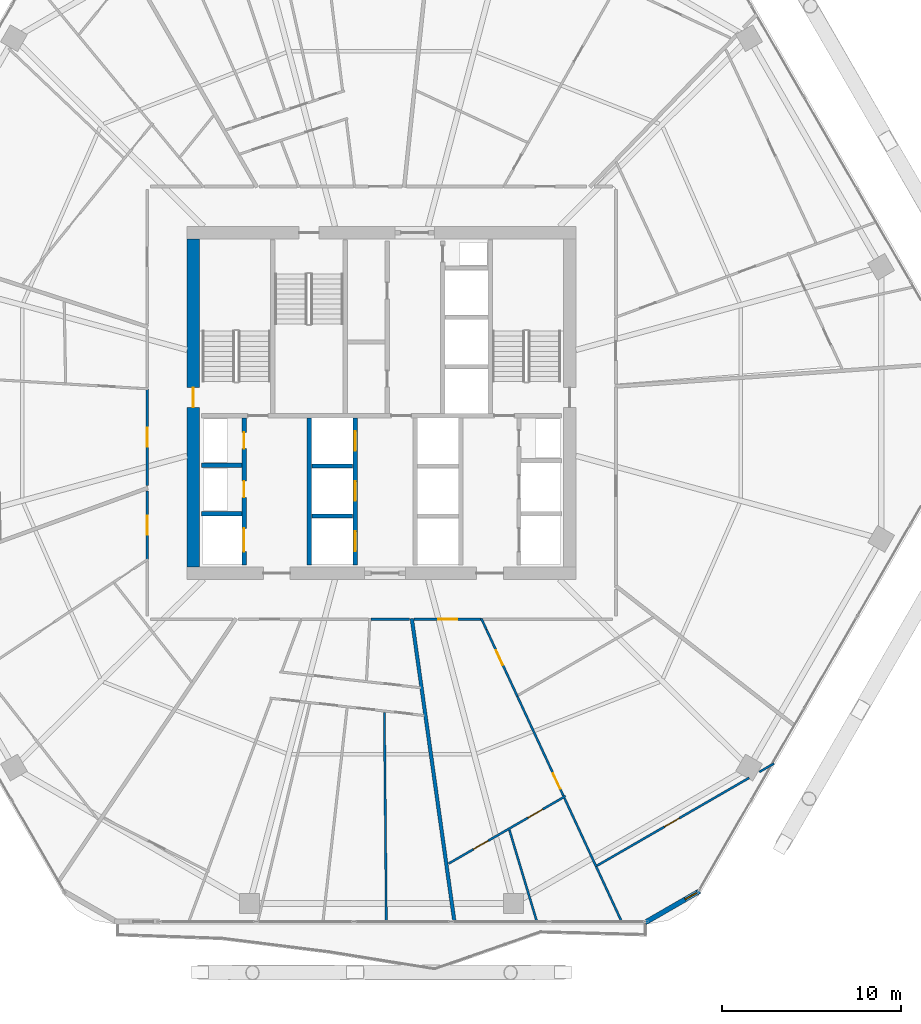
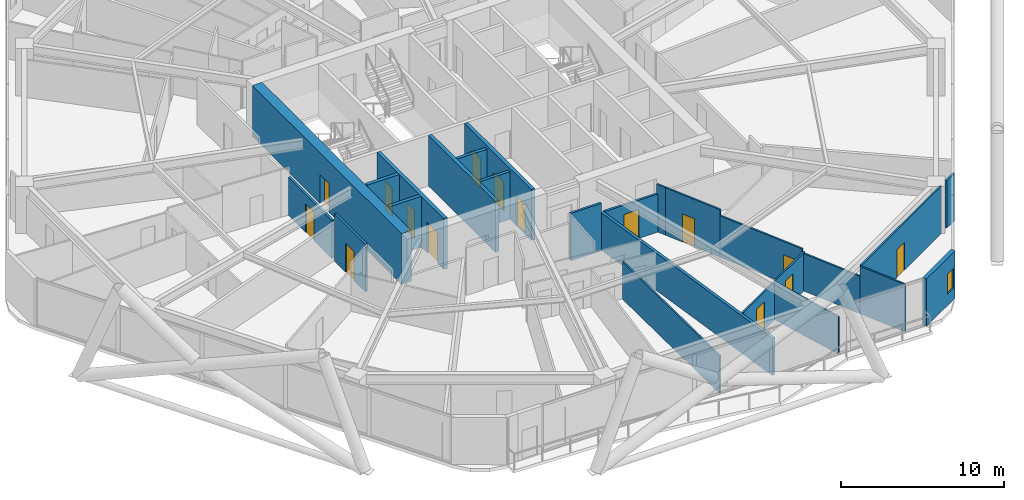
# One storey, part 28 of 35: 24 walls, 15 doors, 1 window, 16 openings.
"""IFC4 building model written with IfcOpenShell, lengths in metres."""

from ifc_helpers import new_model, si_unit, direction, frame, frame_2d, origin, place, context, subcontext, project, spatial, rectangle, extrude, material, layer, layer_set, type_object, element, fill, save


model = new_model("IFC4")

# Units and contexts
model_context = context("Model", 3, precision=1e-05, world=origin(), true_north=direction((0.0, 1.0)))
body_context = subcontext(model_context, "Body", "Model", "MODEL_VIEW")
ifc_project = project(units=[si_unit("LENGTHUNIT", "METRE"), si_unit("AREAUNIT", "SQUARE_METRE"), si_unit("VOLUMEUNIT", "CUBIC_METRE"), si_unit("PLANEANGLEUNIT", "RADIAN"), si_unit("MASSUNIT", "GRAM", prefix="KILO")], contexts=[model_context])

# Site, building, storey
site_placement = place(None, origin())
site = spatial("IfcSite", under=ifc_project, at=site_placement, CompositionType="ELEMENT")
building_placement = place(site_placement, origin())
building = spatial("IfcBuilding", under=site, at=building_placement, Name="Zuhravey Tower", CompositionType="ELEMENT")
storey_placement = place(building_placement, frame((0.0, 0.0, 92.39990234375)))
storey = spatial("IfcBuildingStorey", under=building, at=storey_placement, Name="L22", CompositionType="ELEMENT", Elevation=92.39990234375)

# Wall, opening, door
ifc_material_1 = material(Name="Concrete C60/75", Category="concrete")
ifc_layer_1 = layer(ifc_material_1, 0.699951171875)
ifc_layer_set_1 = layer_set([ifc_layer_1], Name="Concrete C60/75")
wall_type_1 = type_object("IfcWallType", Name="Core Shear Wall 700", PredefinedType="SHEAR", material=ifc_layer_set_1)
wall_1_placement = place(storey_placement, frame((25.5, 22.85009765625, 0.0), z_axis=(0.0, 0.0, 1.0), x_axis=(0.0, 1.0, 0.0)))
wall_1 = element("IfcWall", 1, at=wall_1_placement, inside=storey, type_object=wall_type_1, Name="L22 West Core Shear Wall CW70", PredefinedType="SHEAR", context=body_context, shape_type="SweptSolid", body=[
    extrude(rectangle(XDim=18.2998046875, YDim=0.699951171875, at=frame_2d((9.14990234375, 0.0))), origin(), (0.0, 0.0, 1.0), 3.800048828125),
])
opening_1_placement = place(wall_1_placement, frame((8.89990234375, 0.0, 0.0)))
opening_1 = element("IfcOpeningElement", 2, at=opening_1_placement, cuts=wall_1, Name="Opening STD1", PredefinedType="OPENING", context=body_context, shape_type="SweptSolid", body=[
    extrude(rectangle(XDim=1.10009765625, YDim=2.14990234375, at=frame_2d((0.550048828125, 1.074951171875))), frame((0.0, 0.362060546875, 0.0), z_axis=(0.0, -1.0, 0.0), x_axis=(1.0, 0.0, 0.0)), (0.0, 0.0, 1.0), 0.723876953125),
])
ifc_material_2 = material(Name="Galvanised fire-rated steel leaf", Category="steel")
door_type_1 = type_object("IfcDoorType", Name="Protected Stair Fire Door 1100x2150", OperationType="NOTDEFINED", PredefinedType="USERDEFINED", material=ifc_material_2)
door_1_placement = place(opening_1_placement, frame((1.10009765625, 0.0, 0.0), z_axis=(0.0, 0.0, 1.0), x_axis=(-1.0, 0.0, 0.0)))
door_1 = element("IfcDoor", 3, at=door_1_placement, inside=storey, type_object=door_type_1, Name="L22 Stair ST1 Door", ObjectType="EXITDOOR", OperationType="SINGLE_SWING_RIGHT", OverallHeight=2.14990234375, OverallWidth=1.10009765625, PredefinedType="USERDEFINED", context=body_context, shape_type="SweptSolid", body=[
    extrude(rectangle(XDim=1.10009765625, YDim=2.14990234375, at=frame_2d((0.550048828125, 1.074951171875))), frame((0.0, 0.02490234375, 0.0), z_axis=(0.0, -1.0, 0.0), x_axis=(1.0, 0.0, 0.0)), (0.0, 0.0, 1.0), 0.050048828125),
])
fill(opening_1, door_1)

ifc_material_3 = material(Name="Gypsum fire-rated stud partition")
ifc_layer_2 = layer(ifc_material_3, 0.159912109375)
ifc_layer_set_2 = layer_set([ifc_layer_2], Name="Gypsum fire-rated stud partition")
wall_type_2 = type_object("IfcWallType", Name="Corridor Fire Partition 160", PredefinedType="PARTITIONING", material=ifc_layer_set_2)
wall_2_placement = place(storey_placement, frame((22.919921875, 32.76611328125, 0.0), z_axis=(0.0, 0.0, 1.0), x_axis=(0.0, -1.0, 0.0)))
wall_2 = element("IfcWall", 4, at=wall_2_placement, inside=storey, type_object=wall_type_2, Name="L22 IW16 Partition 046", PredefinedType="PARTITIONING", context=body_context, shape_type="SweptSolid", body=[
    extrude(rectangle(XDim=5.376708984375, YDim=0.159912109375, at=frame_2d((2.6884765625, 0.0))), origin(), (0.0, 0.0, 1.0), 2.85009765625),
])
opening_2_placement = place(wall_2_placement, frame((2.163330078125, 0.0, 0.0)))
opening_2 = element("IfcOpeningElement", 5, at=opening_2_placement, cuts=wall_2, Name="Opening APD1", PredefinedType="OPENING", context=body_context, shape_type="SweptSolid", body=[
    extrude(rectangle(XDim=1.050048828125, YDim=2.14990234375, at=frame_2d((0.52490234375, 1.074951171875))), frame((0.0, 0.092041015625, 0.0), z_axis=(0.0, -1.0, 0.0), x_axis=(1.0, 0.0, 0.0)), (0.0, 0.0, 1.0), 0.183837890625),
])
ifc_material_4 = material(Name="Solid-core oak fire-rated leaf")
door_type_2 = type_object("IfcDoorType", Name="Apartment Entrance Fire Door 1050x2150", OperationType="NOTDEFINED", PredefinedType="DOOR", material=ifc_material_4)
door_2_placement = place(opening_2_placement, frame((1.050048828125, 0.0, 0.0), z_axis=(0.0, 0.0, 1.0), x_axis=(-1.0, 0.0, 0.0)))
door_2 = element("IfcDoor", 6, at=door_2_placement, inside=storey, type_object=door_type_2, Name="L22 Door 046.1", OperationType="SINGLE_SWING_RIGHT", OverallHeight=2.14990234375, OverallWidth=1.050048828125, PredefinedType="DOOR", context=body_context, shape_type="SweptSolid", body=[
    extrude(rectangle(XDim=1.050048828125, YDim=2.14990234375, at=frame_2d((0.52490234375, 1.074951171875))), frame((0.0, 0.02490234375, 0.0), z_axis=(0.0, -1.0, 0.0), x_axis=(1.0, 0.0, 0.0)), (0.0, 0.0, 1.0), 0.050048828125),
])
fill(opening_2, door_2)

wall_3_placement = place(storey_placement, frame((22.919921875, 27.088134765625, 0.0), z_axis=(0.0, 0.0, 1.0), x_axis=(0.0, -1.0, 0.0)))
wall_3 = element("IfcWall", 7, at=wall_3_placement, inside=storey, type_object=wall_type_2, Name="L22 IW16 Partition 050", PredefinedType="PARTITIONING", context=body_context, shape_type="SweptSolid", body=[
    extrude(rectangle(XDim=3.8203125, YDim=0.159912109375, at=frame_2d((1.91015625, 0.0))), origin(), (0.0, 0.0, 1.0), 3.550048828125),
])
opening_3_placement = place(wall_3_placement, frame((1.38525390625, 0.0, 0.0)))
opening_3 = element("IfcOpeningElement", 8, at=opening_3_placement, cuts=wall_3, Name="Opening APD1", PredefinedType="OPENING", context=body_context, shape_type="SweptSolid", body=[
    extrude(rectangle(XDim=1.050048828125, YDim=2.14990234375, at=frame_2d((0.52490234375, 1.074951171875))), frame((0.0, 0.092041015625, 0.0), z_axis=(0.0, -1.0, 0.0), x_axis=(1.0, 0.0, 0.0)), (0.0, 0.0, 1.0), 0.183837890625),
])
door_3_placement = place(opening_3_placement, frame((1.050048828125, 0.0, 0.0), z_axis=(0.0, 0.0, 1.0), x_axis=(-1.0, 0.0, 0.0)))
door_3 = element("IfcDoor", 9, at=door_3_placement, inside=storey, type_object=door_type_2, Name="L22 Door 050.1", OperationType="SINGLE_SWING_RIGHT", OverallHeight=2.14990234375, OverallWidth=1.050048828125, PredefinedType="DOOR", context=body_context, shape_type="SweptSolid", body=[
    extrude(rectangle(XDim=1.050048828125, YDim=2.14990234375, at=frame_2d((0.52490234375, 1.074951171875))), frame((0.0, 0.02490234375, 0.0), z_axis=(0.0, -1.0, 0.0), x_axis=(1.0, 0.0, 0.0)), (0.0, 0.0, 1.0), 0.050048828125),
])
fill(opening_3, door_3)

wall_4_placement = place(storey_placement, frame((37.82568359375, 19.919921875, 0.0), z_axis=(0.0, 0.0, 1.0), x_axis=(1.0, 0.0, 0.0)))
wall_4 = element("IfcWall", 10, at=wall_4_placement, inside=storey, type_object=wall_type_2, Name="L22 IW16 Partition 060", PredefinedType="PARTITIONING", context=body_context, shape_type="SweptSolid", body=[
    extrude(rectangle(XDim=3.744140625, YDim=0.159912109375, at=frame_2d((1.8720703125, 0.0))), origin(), (0.0, 0.0, 1.0), 2.85009765625),
])
opening_4_placement = place(wall_4_placement, frame((1.34716796875, 0.0, 0.0)))
opening_4 = element("IfcOpeningElement", 11, at=opening_4_placement, cuts=wall_4, Name="Opening APD1", PredefinedType="OPENING", context=body_context, shape_type="SweptSolid", body=[
    extrude(rectangle(XDim=1.050048828125, YDim=2.14990234375, at=frame_2d((0.52490234375, 1.074951171875))), frame((0.0, 0.092041015625, 0.0), z_axis=(0.0, -1.0, 0.0), x_axis=(1.0, 0.0, 0.0)), (0.0, 0.0, 1.0), 0.183837890625),
])
door_4_placement = place(opening_4_placement, frame((1.050048828125, 0.0, 0.0), z_axis=(0.0, 0.0, 1.0), x_axis=(-1.0, 0.0, 0.0)))
door_4 = element("IfcDoor", 12, at=door_4_placement, inside=storey, type_object=door_type_2, Name="L22 Door 060.1", OperationType="SINGLE_SWING_RIGHT", OverallHeight=2.14990234375, OverallWidth=1.050048828125, PredefinedType="DOOR", context=body_context, shape_type="SweptSolid", body=[
    extrude(rectangle(XDim=1.050048828125, YDim=2.14990234375, at=frame_2d((0.52490234375, 1.074951171875))), frame((0.0, 0.02490234375, 0.0), z_axis=(0.0, -1.0, 0.0), x_axis=(1.0, 0.0, 0.0)), (0.0, 0.0, 1.0), 0.050048828125),
])
fill(opening_4, door_4)

# Wall
wall_5_placement = place(storey_placement, frame((35.4150390625, 19.919921875, 0.0), z_axis=(0.0, 0.0, 1.0), x_axis=(1.0, 0.0, 0.0)))
element("IfcWall", 13, at=wall_5_placement, inside=storey, type_object=wall_type_2, Name="L22 IW16 Partition 130", PredefinedType="PARTITIONING", context=body_context, shape_type="SweptSolid", body=[
    extrude(rectangle(XDim=2.1552734375, YDim=0.159912109375, at=frame_2d((1.07763671875, 0.0))), origin(), (0.0, 0.0, 1.0), 3.550048828125),
])

# Wall, opening, window
ifc_material_5 = material(Name="Precast concrete C40/50", Category="concrete")
ifc_layer_3 = layer(ifc_material_5, 0.280029296875)
ifc_layer_set_3 = layer_set([ifc_layer_3], Name="Precast concrete C40/50")
wall_type_3 = type_object("IfcWallType", Name="Crown Architectural Wall 280", PredefinedType="SOLIDWALL", material=ifc_layer_set_3)
wall_6_placement = place(storey_placement, frame((53.76123046875, 4.75146484375, 0.0), z_axis=(0.0, 0.0, 1.0), x_axis=(-0.866007452331, -0.500031091541, 0.0)))
wall_6 = element("IfcWall", 14, at=wall_6_placement, inside=storey, type_object=wall_type_3, Name="L22 Rounded Corner Closure Wall EW28-02", PredefinedType="SOLIDWALL", context=body_context, shape_type="SweptSolid", body=[
    extrude(rectangle(XDim=3.514892578125, YDim=0.280029296875, at=frame_2d((1.75732421875, 0.0))), origin(), (0.0, 0.0, 1.0), 3.550048828125),
])
opening_5_placement = place(wall_6_placement, frame((0.18212890625, 0.0, 0.85009765625)))
opening_5 = element("IfcOpeningElement", 15, at=opening_5_placement, cuts=wall_6, Name="Opening WN5", PredefinedType="OPENING", context=body_context, shape_type="SweptSolid", body=[
    extrude(rectangle(XDim=0.75, YDim=1.5, at=frame_2d((0.375, 0.75))), frame((0.0, 0.152099609375, 0.0), z_axis=(0.0, -1.0, 0.0), x_axis=(1.0, 0.0, 0.0)), (0.0, 0.0, 1.0), 0.303955078125),
])
ifc_material_6 = material(Name="Thermally broken aluminium and triple low-E glass", Category="aluminium")
window_type = type_object("IfcWindowType", Name="Residential Corner Casement Window 750x1500", PartitioningType="SINGLE_PANEL", PredefinedType="WINDOW", material=ifc_material_6)
window_placement = place(opening_5_placement, origin())
window = element("IfcWindow", 16, at=window_placement, inside=storey, type_object=window_type, Name="L22 Corner Casement Window WN5-02.1", OverallHeight=1.5, OverallWidth=0.75, PartitioningType="SINGLE_PANEL", PredefinedType="WINDOW", context=body_context, shape_type="SweptSolid", body=[
    extrude(rectangle(XDim=0.75, YDim=1.5, at=frame_2d((0.375, 0.75))), frame((0.0, 0.030029296875, 0.0), z_axis=(0.0, -1.0, 0.0), x_axis=(1.0, 0.0, 0.0)), (0.0, 0.0, 1.0), 0.06005859375),
])
fill(opening_5, window)

# Walls
ifc_material_7 = material(Name="Concrete C50/60", Category="concrete")
ifc_layer_4 = layer(ifc_material_7, 0.25)
ifc_layer_set_4 = layer_set([ifc_layer_4], Name="Concrete C50/60")
wall_type_4 = type_object("IfcWallType", Name="Firefighting Shaft & Stair Wall 250", PredefinedType="SOLIDWALL", material=ifc_layer_set_4)
for number, where, z_axis, x_axis, name in (
    (17, (25.949951171875, 25.824951171875, 0.0), (0.0, 0.0, 1.0), (1.0, 0.0, 0.0), "L22 FW25 Shaft Wall 009"),
    (18, (25.949951171875, 28.52490234375, 0.0), (0.0, 0.0, 1.0), (1.0, 0.0, 0.0), "L22 FW25 Shaft Wall 010"),
):
    element("IfcWall", number, at=place(storey_placement, frame(where, z_axis=z_axis, x_axis=x_axis)), inside=storey, type_object=wall_type_4, Name=name, PredefinedType="SOLIDWALL", context=body_context, shape_type="SweptSolid", body=[
        extrude(rectangle(XDim=2.25, YDim=0.25, at=frame_2d((1.125, 0.0))), origin(), (0.0, 0.0, 1.0), 3.800048828125),
    ])

# Wall, openings, doors
wall_7_placement = place(storey_placement, frame((28.324951171875, 22.949951171875, 0.0), z_axis=(0.0, 0.0, 1.0), x_axis=(0.0, 1.0, 0.0)))
wall_7 = element("IfcWall", 19, at=wall_7_placement, inside=storey, type_object=wall_type_4, Name="L22 FW25 Shaft Wall 011", PredefinedType="SOLIDWALL", context=body_context, shape_type="SweptSolid", body=[
    extrude(rectangle(XDim=8.199951171875, YDim=0.25, at=frame_2d((4.10009765625, 0.0))), origin(), (0.0, 0.0, 1.0), 3.800048828125),
])
opening_6_placement = place(wall_7_placement, frame((0.75, 0.0, 0.0)))
opening_6 = element("IfcOpeningElement", 20, at=opening_6_placement, cuts=wall_7, Name="Opening LD2", PredefinedType="OPENING", context=body_context, shape_type="SweptSolid", body=[
    extrude(rectangle(XDim=1.300048828125, YDim=2.300048828125, at=frame_2d((0.64990234375, 1.14990234375))), frame((0.0, 0.136962890625, 0.0), z_axis=(0.0, -1.0, 0.0), x_axis=(1.0, 0.0, 0.0)), (0.0, 0.0, 1.0), 0.27392578125),
])
opening_7_placement = place(wall_7_placement, frame((3.780029296875, 0.0, 0.0)))
opening_7 = element("IfcOpeningElement", 21, at=opening_7_placement, cuts=wall_7, Name="Opening RSD1", PredefinedType="OPENING", context=body_context, shape_type="SweptSolid", body=[
    extrude(rectangle(XDim=0.89990234375, YDim=2.10009765625, at=frame_2d((0.449951171875, 1.050048828125))), frame((0.0, 0.136962890625, 0.0), z_axis=(0.0, -1.0, 0.0), x_axis=(1.0, 0.0, 0.0)), (0.0, 0.0, 1.0), 0.27392578125),
])
opening_8_placement = place(wall_7_placement, frame((6.5, 0.0, 0.0)))
opening_8 = element("IfcOpeningElement", 22, at=opening_8_placement, cuts=wall_7, Name="Opening RSD1", PredefinedType="OPENING", context=body_context, shape_type="SweptSolid", body=[
    extrude(rectangle(XDim=0.89990234375, YDim=2.10009765625, at=frame_2d((0.449951171875, 1.050048828125))), frame((0.0, 0.136962890625, 0.0), z_axis=(0.0, -1.0, 0.0), x_axis=(1.0, 0.0, 0.0)), (0.0, 0.0, 1.0), 0.27392578125),
])
ifc_material_8 = material(Name="Brushed stainless steel", Category="steel")
door_type_3 = type_object("IfcDoorType", Name="Freight & Stretcher Lift Sliding Door 1300x2300", OperationType="DOUBLE_DOOR_SLIDING", PredefinedType="DOOR", material=ifc_material_8)
door_5_placement = place(opening_6_placement, frame((1.300048828125, 0.0, 0.0), z_axis=(0.0, 0.0, 1.0), x_axis=(-1.0, 0.0, 0.0)))
door_5 = element("IfcDoor", 23, at=door_5_placement, inside=storey, type_object=door_type_3, Name="L22 Lift FF1 Landing Door", OperationType="DOUBLE_DOOR_SLIDING", OverallHeight=2.300048828125, OverallWidth=1.300048828125, PredefinedType="DOOR", context=body_context, shape_type="SweptSolid", body=[
    extrude(rectangle(XDim=1.300048828125, YDim=2.300048828125, at=frame_2d((0.64990234375, 1.14990234375))), frame((0.0, 0.02490234375, 0.0), z_axis=(0.0, -1.0, 0.0), x_axis=(1.0, 0.0, 0.0)), (0.0, 0.0, 1.0), 0.050048828125),
])
fill(opening_6, door_5)
ifc_material_9 = material(Name="Galvanised fire-rated steel access leaf", Category="steel")
door_type_4 = type_object("IfcDoorType", Name="Riser & Shaft Access Fire Door 900x2100", OperationType="NOTDEFINED", PredefinedType="DOOR", material=ifc_material_9)
door_6_placement = place(opening_7_placement, frame((0.89990234375, 0.0, 0.0), z_axis=(0.0, 0.0, 1.0), x_axis=(-1.0, 0.0, 0.0)))
door_6 = element("IfcDoor", 24, at=door_6_placement, inside=storey, type_object=door_type_4, Name="L22 Electrical Riser Door", OperationType="SINGLE_SWING_LEFT", OverallHeight=2.10009765625, OverallWidth=0.89990234375, PredefinedType="DOOR", context=body_context, shape_type="SweptSolid", body=[
    extrude(rectangle(XDim=0.89990234375, YDim=2.10009765625, at=frame_2d((0.449951171875, 1.050048828125))), frame((0.0, 0.02490234375, 0.0), z_axis=(0.0, -1.0, 0.0), x_axis=(1.0, 0.0, 0.0)), (0.0, 0.0, 1.0), 0.050048828125),
])
fill(opening_7, door_6)
door_7_placement = place(opening_8_placement, frame((0.89990234375, 0.0, 0.0), z_axis=(0.0, 0.0, 1.0), x_axis=(-1.0, 0.0, 0.0)))
door_7 = element("IfcDoor", 25, at=door_7_placement, inside=storey, type_object=door_type_4, Name="L22 Smoke Shaft Access Door", OperationType="SINGLE_SWING_RIGHT", OverallHeight=2.10009765625, OverallWidth=0.89990234375, PredefinedType="DOOR", context=body_context, shape_type="SweptSolid", body=[
    extrude(rectangle(XDim=0.89990234375, YDim=2.10009765625, at=frame_2d((0.449951171875, 1.050048828125))), frame((0.0, 0.02490234375, 0.0), z_axis=(0.0, -1.0, 0.0), x_axis=(1.0, 0.0, 0.0)), (0.0, 0.0, 1.0), 0.050048828125),
])
fill(opening_8, door_7)

# Wall
wall_8_placement = place(storey_placement, frame((31.97509765625, 22.949951171875, 0.0), z_axis=(0.0, 0.0, 1.0), x_axis=(0.0, 1.0, 0.0)))
element("IfcWall", 26, at=wall_8_placement, inside=storey, type_object=wall_type_4, Name="L22 FW25 Shaft Wall 012", PredefinedType="SOLIDWALL", context=body_context, shape_type="SweptSolid", body=[
    extrude(rectangle(XDim=8.199951171875, YDim=0.25, at=frame_2d((4.10009765625, 0.0))), origin(), (0.0, 0.0, 1.0), 3.800048828125),
])

# Wall, openings, doors
wall_9_placement = place(storey_placement, frame((34.52490234375, 22.949951171875, 0.0), z_axis=(0.0, 0.0, 1.0), x_axis=(0.0, 1.0, 0.0)))
wall_9 = element("IfcWall", 27, at=wall_9_placement, inside=storey, type_object=wall_type_4, Name="L22 FW25 Shaft Wall 013", PredefinedType="SOLIDWALL", context=body_context, shape_type="SweptSolid", body=[
    extrude(rectangle(XDim=8.199951171875, YDim=0.25, at=frame_2d((4.10009765625, 0.0))), origin(), (0.0, 0.0, 1.0), 3.800048828125),
])
opening_9_placement = place(wall_9_placement, frame((0.77490234375, 0.0, 0.0)))
opening_9 = element("IfcOpeningElement", 28, at=opening_9_placement, cuts=wall_9, Name="Opening LD1", PredefinedType="OPENING", context=body_context, shape_type="SweptSolid", body=[
    extrude(rectangle(XDim=1.10009765625, YDim=2.199951171875, at=frame_2d((0.550048828125, 1.10009765625))), frame((0.0, 0.136962890625, 0.0), z_axis=(0.0, -1.0, 0.0), x_axis=(1.0, 0.0, 0.0)), (0.0, 0.0, 1.0), 0.27392578125),
])
opening_10_placement = place(wall_9_placement, frame((3.574951171875, 0.0, 0.0)))
opening_10 = element("IfcOpeningElement", 29, at=opening_10_placement, cuts=wall_9, Name="Opening LD1", PredefinedType="OPENING", context=body_context, shape_type="SweptSolid", body=[
    extrude(rectangle(XDim=1.10009765625, YDim=2.199951171875, at=frame_2d((0.550048828125, 1.10009765625))), frame((0.0, 0.136962890625, 0.0), z_axis=(0.0, -1.0, 0.0), x_axis=(1.0, 0.0, 0.0)), (0.0, 0.0, 1.0), 0.27392578125),
])
opening_11_placement = place(wall_9_placement, frame((6.375, 0.0, 0.0)))
opening_11 = element("IfcOpeningElement", 30, at=opening_11_placement, cuts=wall_9, Name="Opening LD1", PredefinedType="OPENING", context=body_context, shape_type="SweptSolid", body=[
    extrude(rectangle(XDim=1.10009765625, YDim=2.199951171875, at=frame_2d((0.550048828125, 1.10009765625))), frame((0.0, 0.136962890625, 0.0), z_axis=(0.0, -1.0, 0.0), x_axis=(1.0, 0.0, 0.0)), (0.0, 0.0, 1.0), 0.27392578125),
])
door_type_5 = type_object("IfcDoorType", Name="Lift Landing Sliding Door 1100x2200", OperationType="DOUBLE_DOOR_SLIDING", PredefinedType="DOOR", material=ifc_material_8)
door_8_placement = place(opening_9_placement, frame((1.10009765625, 0.0, 0.0), z_axis=(0.0, 0.0, 1.0), x_axis=(-1.0, 0.0, 0.0)))
door_8 = element("IfcDoor", 31, at=door_8_placement, inside=storey, type_object=door_type_5, Name="L22 Lift PL1 Landing Door", OperationType="DOUBLE_DOOR_SLIDING", OverallHeight=2.199951171875, OverallWidth=1.10009765625, PredefinedType="DOOR", context=body_context, shape_type="SweptSolid", body=[
    extrude(rectangle(XDim=1.10009765625, YDim=2.199951171875, at=frame_2d((0.550048828125, 1.10009765625))), frame((0.0, 0.02490234375, 0.0), z_axis=(0.0, -1.0, 0.0), x_axis=(1.0, 0.0, 0.0)), (0.0, 0.0, 1.0), 0.050048828125),
])
fill(opening_9, door_8)
door_9_placement = place(opening_10_placement, frame((1.10009765625, 0.0, 0.0), z_axis=(0.0, 0.0, 1.0), x_axis=(-1.0, 0.0, 0.0)))
door_9 = element("IfcDoor", 32, at=door_9_placement, inside=storey, type_object=door_type_5, Name="L22 Lift PL2 Landing Door", OperationType="DOUBLE_DOOR_SLIDING", OverallHeight=2.199951171875, OverallWidth=1.10009765625, PredefinedType="DOOR", context=body_context, shape_type="SweptSolid", body=[
    extrude(rectangle(XDim=1.10009765625, YDim=2.199951171875, at=frame_2d((0.550048828125, 1.10009765625))), frame((0.0, 0.02490234375, 0.0), z_axis=(0.0, -1.0, 0.0), x_axis=(1.0, 0.0, 0.0)), (0.0, 0.0, 1.0), 0.050048828125),
])
fill(opening_10, door_9)
door_10_placement = place(opening_11_placement, frame((1.10009765625, 0.0, 0.0), z_axis=(0.0, 0.0, 1.0), x_axis=(-1.0, 0.0, 0.0)))
door_10 = element("IfcDoor", 33, at=door_10_placement, inside=storey, type_object=door_type_5, Name="L22 Lift PL3 Landing Door", OperationType="DOUBLE_DOOR_SLIDING", OverallHeight=2.199951171875, OverallWidth=1.10009765625, PredefinedType="DOOR", context=body_context, shape_type="SweptSolid", body=[
    extrude(rectangle(XDim=1.10009765625, YDim=2.199951171875, at=frame_2d((0.550048828125, 1.10009765625))), frame((0.0, 0.02490234375, 0.0), z_axis=(0.0, -1.0, 0.0), x_axis=(1.0, 0.0, 0.0)), (0.0, 0.0, 1.0), 0.050048828125),
])
fill(opening_11, door_10)

# Walls
ifc_material_10 = material(Name="Gypsum double-stud party assembly")
ifc_layer_5 = layer(ifc_material_10, 0.199951171875)
ifc_layer_set_5 = layer_set([ifc_layer_5], Name="Gypsum double-stud party assembly")
wall_type_5 = type_object("IfcWallType", Name="Inter-Tenancy Party Wall 200", PredefinedType="PARTITIONING", material=ifc_layer_set_5)
wall_10_placement = place(storey_placement, frame((37.692138671875, 19.9599609375, 0.0), z_axis=(0.0, 0.0, 1.0), x_axis=(0.139170315648, -0.990268460188, 0.0)))
element("IfcWall", 34, at=wall_10_placement, inside=storey, type_object=wall_type_5, Name="L22 IW20 Partition 112", PredefinedType="PARTITIONING", context=body_context, shape_type="SweptSolid", body=[
    extrude(rectangle(XDim=17.084716796875, YDim=0.199951171875, at=frame_2d((8.54248046875, 0.0))), origin(), (0.0, 0.0, 1.0), 2.800048828125),
])
ifc_material_11 = material(Name="Gypsum acoustic stud assembly")
ifc_layer_6 = layer(ifc_material_11, 0.219970703125)
ifc_layer_set_6 = layer_set([ifc_layer_6], Name="Gypsum acoustic stud assembly")
wall_type_6 = type_object("IfcWallType", Name="School Acoustic Compartment Wall 220", PredefinedType="PARTITIONING", material=ifc_layer_set_6)
for number, where, z_axis, x_axis, name in (
    (35, (32.10791015625, 25.675048828125, 0.0), (0.0, 0.0, 1.0), (1.0, 0.0, 0.0), "L22 IW22 Partition 066"),
    (36, (32.10791015625, 28.47509765625, 0.0), (0.0, 0.0, 1.0), (1.0, 0.0, 0.0), "L22 IW22 Partition 067"),
):
    element("IfcWall", number, at=place(storey_placement, frame(where, z_axis=z_axis, x_axis=x_axis)), inside=storey, type_object=wall_type_6, Name=name, PredefinedType="PARTITIONING", context=body_context, shape_type="SweptSolid", body=[
        extrude(rectangle(XDim=2.2841796875, YDim=0.219970703125, at=frame_2d((1.14208984375, 0.0))), origin(), (0.0, 0.0, 1.0), 3.550048828125),
    ])

# Wall, openings, doors
ifc_material_12 = material(Name="Gypsum metal-stud partition")
ifc_layer_7 = layer(ifc_material_12, 0.1201171875)
ifc_layer_set_7 = layer_set([ifc_layer_7], Name="Gypsum metal-stud partition")
wall_type_7 = type_object("IfcWallType", Name="Unit Internal Partition 120", PredefinedType="PARTITIONING", material=ifc_layer_set_7)
wall_11_placement = place(storey_placement, frame((39.74267578125, 6.281005859375, 0.0), z_axis=(0.0, 0.0, 1.0), x_axis=(0.866016234862, 0.500015880704, 0.0)))
wall_11 = element("IfcWall", 37, at=wall_11_placement, inside=storey, type_object=wall_type_7, Name="L22 IW12 Partition 055", PredefinedType="PARTITIONING", context=body_context, shape_type="SweptSolid", body=[
    extrude(rectangle(XDim=7.538330078125, YDim=0.1201171875, at=frame_2d((3.76904296875, 0.0))), origin(), (0.0, 0.0, 1.0), 2.85009765625),
])
opening_12_placement = place(wall_11_placement, frame((1.593505859375, 0.0, 0.0)))
opening_12 = element("IfcOpeningElement", 38, at=opening_12_placement, cuts=wall_11, Name="Opening IND1", PredefinedType="OPENING", context=body_context, shape_type="SweptSolid", body=[
    extrude(rectangle(XDim=0.949951171875, YDim=2.10009765625, at=frame_2d((0.47509765625, 1.050048828125))), frame((0.0, 0.072021484375, 0.0), z_axis=(0.0, -1.0, 0.0), x_axis=(1.0, 0.0, 0.0)), (0.0, 0.0, 1.0), 0.14404296875),
])
opening_13_placement = place(wall_11_placement, frame((5.11962890625, 0.0, 0.0)))
opening_13 = element("IfcOpeningElement", 39, at=opening_13_placement, cuts=wall_11, Name="Opening IND1", PredefinedType="OPENING", context=body_context, shape_type="SweptSolid", body=[
    extrude(rectangle(XDim=0.949951171875, YDim=2.10009765625, at=frame_2d((0.47509765625, 1.050048828125))), frame((0.0, 0.072021484375, 0.0), z_axis=(0.0, -1.0, 0.0), x_axis=(1.0, 0.0, 0.0)), (0.0, 0.0, 1.0), 0.14404296875),
])
ifc_material_13 = material(Name="Painted engineered timber leaf", Category="wood")
door_type_6 = type_object("IfcDoorType", Name="Internal Room & Bedroom Door 950x2100", OperationType="NOTDEFINED", PredefinedType="DOOR", material=ifc_material_13)
door_11_placement = place(opening_12_placement, frame((0.949951171875, 0.0, 0.0), z_axis=(0.0, 0.0, 1.0), x_axis=(-1.0, 0.0, 0.0)))
door_11 = element("IfcDoor", 40, at=door_11_placement, inside=storey, type_object=door_type_6, Name="Apartment L22-08 Family Study Door", OperationType="SINGLE_SWING_LEFT", OverallHeight=2.10009765625, OverallWidth=0.949951171875, PredefinedType="DOOR", context=body_context, shape_type="SweptSolid", body=[
    extrude(rectangle(XDim=0.949951171875, YDim=2.10009765625, at=frame_2d((0.47509765625, 1.050048828125))), frame((0.0, 0.02490234375, 0.0), z_axis=(0.0, -1.0, 0.0), x_axis=(1.0, 0.0, 0.0)), (0.0, 0.0, 1.0), 0.050048828125),
])
fill(opening_12, door_11)
door_12_placement = place(opening_13_placement, frame((0.949951171875, 0.0, 0.0), z_axis=(0.0, 0.0, 1.0), x_axis=(-1.0, 0.0, 0.0)))
door_12 = element("IfcDoor", 41, at=door_12_placement, inside=storey, type_object=door_type_6, Name="Apartment L22-08 Dining Room Door", OperationType="SINGLE_SWING_RIGHT", OverallHeight=2.10009765625, OverallWidth=0.949951171875, PredefinedType="DOOR", context=body_context, shape_type="SweptSolid", body=[
    extrude(rectangle(XDim=0.949951171875, YDim=2.10009765625, at=frame_2d((0.47509765625, 1.050048828125))), frame((0.0, 0.02490234375, 0.0), z_axis=(0.0, -1.0, 0.0), x_axis=(1.0, 0.0, 0.0)), (0.0, 0.0, 1.0), 0.050048828125),
])
fill(opening_13, door_12)

# Wall, opening, door
wall_12_placement = place(storey_placement, frame((41.855712890625, 19.35009765625, 0.0), z_axis=(0.0, 0.0, 1.0), x_axis=(0.420102705712, -0.907476565347, 0.0)))
wall_12 = element("IfcWall", 42, at=wall_12_placement, inside=storey, type_object=wall_type_7, Name="L22 IW12 Partition 056", PredefinedType="PARTITIONING", context=body_context, shape_type="SweptSolid", body=[
    extrude(rectangle(XDim=4.104736328125, YDim=0.1201171875, at=frame_2d((2.05224609375, 0.0))), origin(), (0.0, 0.0, 1.0), 3.550048828125),
])
opening_14_placement = place(wall_12_placement, frame((1.27392578125, 0.0, 0.0)))
opening_14 = element("IfcOpeningElement", 43, at=opening_14_placement, cuts=wall_12, Name="Opening WCD1", PredefinedType="OPENING", context=body_context, shape_type="SweptSolid", body=[
    extrude(rectangle(XDim=0.89990234375, YDim=2.10009765625, at=frame_2d((0.449951171875, 1.050048828125))), frame((0.0, 0.072021484375, 0.0), z_axis=(0.0, -1.0, 0.0), x_axis=(1.0, 0.0, 0.0)), (0.0, 0.0, 1.0), 0.14404296875),
])
ifc_material_14 = material(Name="Moisture-resistant timber leaf", Category="wood")
door_type_7 = type_object("IfcDoorType", Name="Bathroom & WC Internal Door 900x2100", OperationType="NOTDEFINED", PredefinedType="DOOR", material=ifc_material_14)
door_13_placement = place(opening_14_placement, origin())
door_13 = element("IfcDoor", 44, at=door_13_placement, inside=storey, type_object=door_type_7, Name="Apartment L22-08 Bathroom Door", OperationType="SINGLE_SWING_LEFT", OverallHeight=2.10009765625, OverallWidth=0.89990234375, PredefinedType="DOOR", context=body_context, shape_type="SweptSolid", body=[
    extrude(rectangle(XDim=0.89990234375, YDim=2.10009765625, at=frame_2d((0.449951171875, 1.050048828125))), frame((0.0, 0.02490234375, 0.0), z_axis=(0.0, -1.0, 0.0), x_axis=(1.0, 0.0, 0.0)), (0.0, 0.0, 1.0), 0.050048828125),
])
fill(opening_14, door_13)

wall_13_placement = place(storey_placement, frame((43.580078125, 15.625244140625, 0.0), z_axis=(0.0, 0.0, 1.0), x_axis=(0.420105955841, -0.907475060741, 0.0)))
wall_13 = element("IfcWall", 45, at=wall_13_placement, inside=storey, type_object=wall_type_7, Name="L22 IW12 Partition 057", PredefinedType="PARTITIONING", context=body_context, shape_type="SweptSolid", body=[
    extrude(rectangle(XDim=6.13037109375, YDim=0.1201171875, at=frame_2d((3.065185546875, 0.0))), origin(), (0.0, 0.0, 1.0), 3.10009765625),
])
opening_15_placement = place(wall_13_placement, frame((4.741943359375, 0.0, 0.0)))
opening_15 = element("IfcOpeningElement", 46, at=opening_15_placement, cuts=wall_13, Name="Opening IND1", PredefinedType="OPENING", context=body_context, shape_type="SweptSolid", body=[
    extrude(rectangle(XDim=0.949951171875, YDim=2.10009765625, at=frame_2d((0.47509765625, 1.050048828125))), frame((0.0, 0.072021484375, 0.0), z_axis=(0.0, -1.0, 0.0), x_axis=(1.0, 0.0, 0.0)), (0.0, 0.0, 1.0), 0.14404296875),
])
door_14_placement = place(opening_15_placement, origin())
door_14 = element("IfcDoor", 47, at=door_14_placement, inside=storey, type_object=door_type_6, Name="Apartment L22-08 Home Office Door", OperationType="SINGLE_SWING_RIGHT", OverallHeight=2.10009765625, OverallWidth=0.949951171875, PredefinedType="DOOR", context=body_context, shape_type="SweptSolid", body=[
    extrude(rectangle(XDim=0.949951171875, YDim=2.10009765625, at=frame_2d((0.47509765625, 1.050048828125))), frame((0.0, 0.02490234375, 0.0), z_axis=(0.0, -1.0, 0.0), x_axis=(1.0, 0.0, 0.0)), (0.0, 0.0, 1.0), 0.050048828125),
])
fill(opening_15, door_14)

# Wall
wall_14_placement = place(storey_placement, frame((46.212890625, 9.93798828125, 0.0), z_axis=(0.0, 0.0, 1.0), x_axis=(0.420052931111, -0.907499606096, 0.0)))
element("IfcWall", 48, at=wall_14_placement, inside=storey, type_object=wall_type_7, Name="L22 IW12 Partition 058", PredefinedType="PARTITIONING", context=body_context, shape_type="SweptSolid", body=[
    extrude(rectangle(XDim=4.216796875, YDim=0.1201171875, at=frame_2d((2.1083984375, 0.0))), origin(), (0.0, 0.0, 1.0), 2.800048828125),
])

# Wall, opening, door
wall_15_placement = place(storey_placement, frame((48.03271484375, 6.168212890625, 0.0), z_axis=(0.0, 0.0, 1.0), x_axis=(0.866038464595, 0.49997737733, 0.0)))
wall_15 = element("IfcWall", 49, at=wall_15_placement, inside=storey, type_object=wall_type_7, Name="L22 IW12 Partition 059", PredefinedType="PARTITIONING", context=body_context, shape_type="SweptSolid", body=[
    extrude(rectangle(XDim=9.81005859375, YDim=0.1201171875, at=frame_2d((4.905029296875, 0.0))), origin(), (0.0, 0.0, 1.0), 3.550048828125),
])
opening_16_placement = place(wall_15_placement, frame((4.345703125, 0.0, 0.0)))
opening_16 = element("IfcOpeningElement", 50, at=opening_16_placement, cuts=wall_15, Name="Opening IND1", PredefinedType="OPENING", context=body_context, shape_type="SweptSolid", body=[
    extrude(rectangle(XDim=0.949951171875, YDim=2.10009765625, at=frame_2d((0.47509765625, 1.050048828125))), frame((0.0, 0.072021484375, 0.0), z_axis=(0.0, -1.0, 0.0), x_axis=(1.0, 0.0, 0.0)), (0.0, 0.0, 1.0), 0.14404296875),
])
door_15_placement = place(opening_16_placement, frame((0.949951171875, 0.0, 0.0), z_axis=(0.0, 0.0, 1.0), x_axis=(-1.0, 0.0, 0.0)))
door_15 = element("IfcDoor", 51, at=door_15_placement, inside=storey, type_object=door_type_6, Name="Apartment L22-08 Bedroom 1 Door", OperationType="SINGLE_SWING_LEFT", OverallHeight=2.10009765625, OverallWidth=0.949951171875, PredefinedType="DOOR", context=body_context, shape_type="SweptSolid", body=[
    extrude(rectangle(XDim=0.949951171875, YDim=2.10009765625, at=frame_2d((0.47509765625, 1.050048828125))), frame((0.0, 0.02490234375, 0.0), z_axis=(0.0, -1.0, 0.0), x_axis=(1.0, 0.0, 0.0)), (0.0, 0.0, 1.0), 0.050048828125),
])
fill(opening_16, door_15)

# Walls
wall_16_placement = place(storey_placement, frame((36.15966796875, 14.729248046875, 0.0), z_axis=(0.0, 0.0, 1.0), x_axis=(0.009266204827, -0.999957067802, 0.0)))
element("IfcWall", 52, at=wall_16_placement, inside=storey, type_object=wall_type_7, Name="L22 IW12 Partition 108", PredefinedType="PARTITIONING", context=body_context, shape_type="SweptSolid", body=[
    extrude(rectangle(XDim=11.6982421875, YDim=0.1201171875, at=frame_2d((5.84912109375, 0.0))), origin(), (0.0, 0.0, 1.0), 2.800048828125),
])
wall_17_placement = place(storey_placement, frame((43.137939453125, 8.162841796875, 0.0), z_axis=(0.0, 0.0, 1.0), x_axis=(0.286848011089, -0.957976105409, 0.0)))
element("IfcWall", 53, at=wall_17_placement, inside=storey, type_object=wall_type_7, Name="L22 IW12 Partition 113", PredefinedType="PARTITIONING", context=body_context, shape_type="SweptSolid", body=[
    extrude(rectangle(XDim=5.37744140625, YDim=0.1201171875, at=frame_2d((2.688720703125, 0.0))), origin(), (0.0, 0.0, 1.0), 2.800048828125),
])
wall_18_placement = place(storey_placement, frame((41.572265625, 19.962646484375, 0.0), z_axis=(0.0, 0.0, 1.0), x_axis=(0.419952560089, -0.907546057936, 0.0)))
element("IfcWall", 54, at=wall_18_placement, inside=storey, type_object=wall_type_7, Name="L22 IW12 Partition 114", PredefinedType="PARTITIONING", context=body_context, shape_type="SweptSolid", body=[
    extrude(rectangle(XDim=0.675048828125, YDim=0.1201171875, at=frame_2d((0.33740234375, 0.0))), origin(), (0.0, 0.0, 1.0), 3.550048828125),
])
wall_19_placement = place(storey_placement, frame((47.984375, 6.111328125, 0.0), z_axis=(0.0, 0.0, 1.0), x_axis=(0.420090602043, -0.907482168461, 0.0)))
element("IfcWall", 55, at=wall_19_placement, inside=storey, type_object=wall_type_7, Name="L22 IW12 Partition 115", PredefinedType="PARTITIONING", context=body_context, shape_type="SweptSolid", body=[
    extrude(rectangle(XDim=3.38818359375, YDim=0.1201171875, at=frame_2d((1.694091796875, 0.0))), origin(), (0.0, 0.0, 1.0), 3.550048828125),
])
wall_20_placement = place(storey_placement, frame((57.089111328125, 11.396728515625, 0.0), z_axis=(0.0, 0.0, 1.0), x_axis=(0.866043818878, 0.499968102766, 0.0)))
element("IfcWall", 56, at=wall_20_placement, inside=storey, type_object=wall_type_7, Name="L22 IW12 Partition 117", PredefinedType="PARTITIONING", context=body_context, shape_type="SweptSolid", body=[
    extrude(rectangle(XDim=0.9462890625, YDim=0.1201171875, at=frame_2d((0.47314453125, 0.0))), origin(), (0.0, 0.0, 1.0), 3.550048828125),
])

save(model, "model.ifc")
